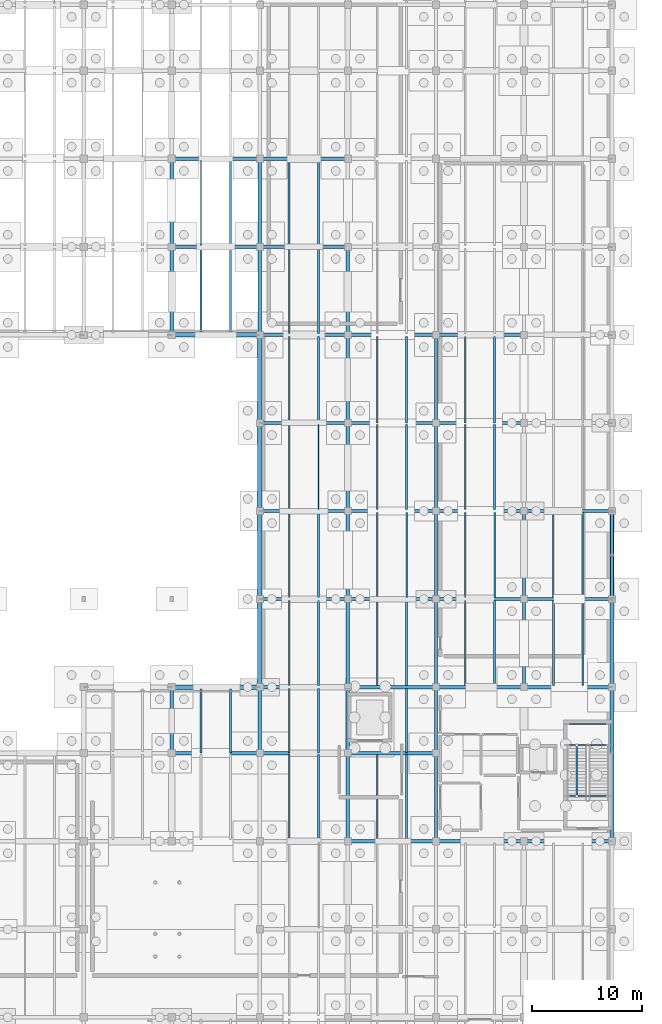
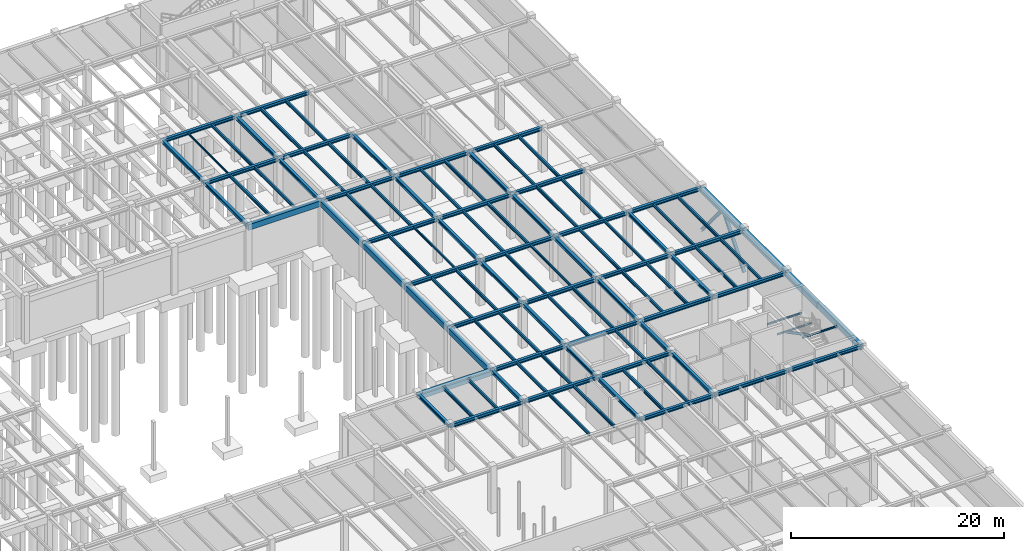
# One storey, part 29 of 71: 107 beams, 3 members.
"""IFC4 building model written with IfcOpenShell, lengths in metres."""

from ifc_helpers import new_model, si_unit, direction, frame, origin, origin_2d, place, context, subcontext, project, spatial, rectangle, i_section, extrude, material, material_profile, profile_set, type_object, element, save


model = new_model("IFC4")

# Units and contexts
model_context = context("Model", 3, precision=1e-05, world=origin(), true_north=direction((0.0, 1.0)))
body_context = subcontext(model_context, "Body", "Model", "MODEL_VIEW")
ifc_project = project(units=[si_unit("LENGTHUNIT", "METRE"), si_unit("AREAUNIT", "SQUARE_METRE"), si_unit("VOLUMEUNIT", "CUBIC_METRE"), si_unit("PLANEANGLEUNIT", "RADIAN"), si_unit("MASSUNIT", "GRAM", prefix="KILO")], contexts=[model_context])

# Site, building, storey
site_placement = place(None, origin())
site = spatial("IfcSite", under=ifc_project, at=site_placement, CompositionType="ELEMENT")
building_placement = place(site_placement, origin())
building = spatial("IfcBuilding", under=site, at=building_placement, Name="Sundkrona Museum", CompositionType="ELEMENT")
storey_placement = place(building_placement, frame((0.0, 0.0, -5.39990234375)))
storey = spatial("IfcBuildingStorey", under=building, at=storey_placement, Name="B1", CompositionType="ELEMENT", Elevation=-5.39990234375)

# Beams
ifc_material_1 = material(Name="Steel S355J2", Category="steel")
ifc_material_profile_1 = material_profile(ifc_material_1, i_section(OverallWidth=0.300048828125, OverallDepth=0.39990234375, WebThickness=0.013427734375, FlangeThickness=0.02392578125, FilletRadius=0.027099609375, at=origin_2d()), Name="HEB 400")
ifc_profile_set_1 = profile_set([ifc_material_profile_1], Name="Steel S355J2")
beam_type_1 = type_object("IfcBeamType", Name="B-HEB400", PredefinedType="BEAM", material=ifc_profile_set_1)
for number, where, z_axis, x_axis, name in (
    (1, (144.0, 32.0, 4.919921875), (1.0, 0.0, 0.0), (0.0, 1.0, 0.0), "B1 Girder X-0046"),
    (2, (152.0, 32.0, 4.919921875), (1.0, 0.0, 0.0), (0.0, 1.0, 0.0), "B1 Girder X-0047"),
    (3, (160.0, 32.0, 4.919921875), (1.0, 0.0, 0.0), (0.0, 1.0, 0.0), "B1 Girder X-0048"),
    (4, (128.0, 40.0, 4.919921875), (1.0, 0.0, 0.0), (0.0, 1.0, 0.0), "B1 Girder X-0057"),
    (5, (136.0, 40.0, 4.919921875), (1.0, 0.0, 0.0), (0.0, 1.0, 0.0), "B1 Girder X-0058"),
    (6, (144.0, 40.0, 4.919921875), (1.0, 0.0, 0.0), (0.0, 1.0, 0.0), "B1 Girder X-0059"),
    (7, (136.0, 46.0, 4.849853515625), (1.0, 0.0, 0.0), (0.0, 1.0, 0.0), "B1 Girder X-0067"),
    (8, (144.0, 46.0, 4.849853515625), (1.0, 0.0, 0.0), (0.0, 1.0, 0.0), "B1 Girder X-0068"),
    (9, (152.0, 46.0, 4.849853515625), (1.0, 0.0, 0.0), (0.0, 1.0, 0.0), "B1 Girder X-0069"),
    (10, (160.0, 46.0, 4.849853515625), (1.0, 0.0, 0.0), (0.0, 1.0, 0.0), "B1 Girder X-0070"),
    (11, (136.0, 54.0, 4.849853515625), (1.0, 0.0, 0.0), (0.0, 1.0, 0.0), "B1 Girder X-0076"),
    (12, (144.0, 54.0, 4.849853515625), (1.0, 0.0, 0.0), (0.0, 1.0, 0.0), "B1 Girder X-0077"),
    (13, (152.0, 54.0, 4.849853515625), (1.0, 0.0, 0.0), (0.0, 1.0, 0.0), "B1 Girder X-0078"),
    (14, (160.0, 54.0, 4.849853515625), (1.0, 0.0, 0.0), (0.0, 1.0, 0.0), "B1 Girder X-0079"),
    (15, (136.0, 62.0, 4.849853515625), (1.0, 0.0, 0.0), (0.0, 1.0, 0.0), "B1 Girder X-0085"),
    (16, (144.0, 62.0, 4.849853515625), (1.0, 0.0, 0.0), (0.0, 1.0, 0.0), "B1 Girder X-0086"),
    (17, (152.0, 62.0, 4.849853515625), (1.0, 0.0, 0.0), (0.0, 1.0, 0.0), "B1 Girder X-0087"),
    (18, (160.0, 62.0, 4.849853515625), (1.0, 0.0, 0.0), (0.0, 1.0, 0.0), "B1 Girder X-0088"),
    (19, (136.0, 70.0, 4.849853515625), (1.0, 0.0, 0.0), (0.0, 1.0, 0.0), "B1 Girder X-0093"),
    (20, (144.0, 70.0, 4.849853515625), (1.0, 0.0, 0.0), (0.0, 1.0, 0.0), "B1 Girder X-0094"),
    (21, (152.0, 70.0, 4.849853515625), (1.0, 0.0, 0.0), (0.0, 1.0, 0.0), "B1 Girder X-0095"),
    (22, (136.0, 78.0, 4.824951171875), (1.0, 0.0, 0.0), (0.0, 1.0, 0.0), "B1 Girder X-0113"),
    (23, (144.0, 78.0, 4.824951171875), (1.0, 0.0, 0.0), (0.0, 1.0, 0.0), "B1 Girder X-0114"),
    (24, (152.0, 78.0, 4.824951171875), (1.0, 0.0, 0.0), (0.0, 1.0, 0.0), "B1 Girder X-0115"),
    (25, (128.0, 86.0, 4.824951171875), (1.0, 0.0, 0.0), (0.0, 1.0, 0.0), "B1 Girder X-0130"),
    (26, (136.0, 86.0, 4.824951171875), (1.0, 0.0, 0.0), (0.0, 1.0, 0.0), "B1 Girder X-0131"),
    (27, (128.0, 94.0, 4.824951171875), (1.0, 0.0, 0.0), (0.0, 1.0, 0.0), "B1 Girder X-0150"),
    (28, (136.0, 94.0, 4.824951171875), (1.0, 0.0, 0.0), (0.0, 1.0, 0.0), "B1 Girder X-0151"),
):
    element("IfcBeam", number, at=place(storey_placement, frame(where, z_axis=z_axis, x_axis=x_axis)), inside=storey, type_object=beam_type_1, Name=name, PredefinedType="BEAM", context=body_context, shape_type="SweptSolid", body=[
        extrude(i_section(OverallWidth=0.300048828125, OverallDepth=0.39990234375, WebThickness=0.013427734375, FlangeThickness=0.02392578125, FilletRadius=0.027099609375, at=origin_2d()), origin(), (0.0, 0.0, 1.0), 8.0),
    ])
beam_1_placement = place(storey_placement, frame((128.0, 40.0, 4.919921875), z_axis=(0.0, 1.0, 0.0), x_axis=(-1.0, 0.0, 0.0)))
element("IfcBeam", 29, at=beam_1_placement, inside=storey, type_object=beam_type_1, Name="B1 Girder Y-0345", PredefinedType="BEAM", context=body_context, shape_type="SweptSolid", body=[
    extrude(i_section(OverallWidth=0.300048828125, OverallDepth=0.39990234375, WebThickness=0.013427734375, FlangeThickness=0.02392578125, FilletRadius=0.027099609375, at=origin_2d()), origin(), (0.0, 0.0, 1.0), 6.0),
])
for number, where, z_axis, x_axis, name in (
    (30, (128.0, 78.0, 4.919921875), (0.0, 1.0, 0.0), (-1.0, 0.0, 0.0), "B1 Girder Y-0346"),
    (31, (128.0, 86.0, 4.919921875), (0.0, 1.0, 0.0), (-1.0, 0.0, 0.0), "B1 Girder Y-0347"),
):
    element("IfcBeam", number, at=place(storey_placement, frame(where, z_axis=z_axis, x_axis=x_axis)), inside=storey, type_object=beam_type_1, Name=name, PredefinedType="BEAM", context=body_context, shape_type="SweptSolid", body=[
        extrude(i_section(OverallWidth=0.300048828125, OverallDepth=0.39990234375, WebThickness=0.013427734375, FlangeThickness=0.02392578125, FilletRadius=0.027099609375, at=origin_2d()), origin(), (0.0, 0.0, 1.0), 8.0),
    ])
beam_2_placement = place(storey_placement, frame((136.0, 40.0, 4.849853515625), z_axis=(0.0, 1.0, 0.0), x_axis=(-1.0, 0.0, 0.0)))
element("IfcBeam", 32, at=beam_2_placement, inside=storey, type_object=beam_type_1, Name="B1 Girder Y-0356", PredefinedType="BEAM", context=body_context, shape_type="SweptSolid", body=[
    extrude(i_section(OverallWidth=0.300048828125, OverallDepth=0.39990234375, WebThickness=0.013427734375, FlangeThickness=0.02392578125, FilletRadius=0.027099609375, at=origin_2d()), origin(), (0.0, 0.0, 1.0), 6.0),
])
for number, where, z_axis, x_axis, name in (
    (33, (136.0, 78.0, 4.824951171875), (0.0, 1.0, 0.0), (-1.0, 0.0, 0.0), "B1 Girder Y-0361"),
    (34, (136.0, 86.0, 4.824951171875), (0.0, 1.0, 0.0), (-1.0, 0.0, 0.0), "B1 Girder Y-0362"),
    (35, (144.0, 32.0, 4.919921875), (0.0, 1.0, 0.0), (-1.0, 0.0, 0.0), "B1 Girder Y-0370"),
):
    element("IfcBeam", number, at=place(storey_placement, frame(where, z_axis=z_axis, x_axis=x_axis)), inside=storey, type_object=beam_type_1, Name=name, PredefinedType="BEAM", context=body_context, shape_type="SweptSolid", body=[
        extrude(i_section(OverallWidth=0.300048828125, OverallDepth=0.39990234375, WebThickness=0.013427734375, FlangeThickness=0.02392578125, FilletRadius=0.027099609375, at=origin_2d()), origin(), (0.0, 0.0, 1.0), 8.0),
    ])
beam_3_placement = place(storey_placement, frame((144.0, 40.0, 4.849853515625), z_axis=(0.0, 1.0, 0.0), x_axis=(-1.0, 0.0, 0.0)))
element("IfcBeam", 36, at=beam_3_placement, inside=storey, type_object=beam_type_1, Name="B1 Girder Y-0371", PredefinedType="BEAM", context=body_context, shape_type="SweptSolid", body=[
    extrude(i_section(OverallWidth=0.300048828125, OverallDepth=0.39990234375, WebThickness=0.013427734375, FlangeThickness=0.02392578125, FilletRadius=0.027099609375, at=origin_2d()), origin(), (0.0, 0.0, 1.0), 6.0),
])
for number, where, z_axis, x_axis, name in (
    (37, (144.0, 46.0, 4.849853515625), (0.0, 1.0, 0.0), (-1.0, 0.0, 0.0), "B1 Girder Y-0372"),
    (38, (144.0, 54.0, 4.849853515625), (0.0, 1.0, 0.0), (-1.0, 0.0, 0.0), "B1 Girder Y-0373"),
    (39, (144.0, 62.0, 4.849853515625), (0.0, 1.0, 0.0), (-1.0, 0.0, 0.0), "B1 Girder Y-0374"),
    (40, (144.0, 70.0, 4.824951171875), (0.0, 1.0, 0.0), (-1.0, 0.0, 0.0), "B1 Girder Y-0375"),
    (41, (144.0, 78.0, 4.824951171875), (0.0, 1.0, 0.0), (-1.0, 0.0, 0.0), "B1 Girder Y-0376"),
    (42, (152.0, 32.0, 4.919921875), (0.0, 1.0, 0.0), (-1.0, 0.0, 0.0), "B1 Girder Y-0384"),
):
    element("IfcBeam", number, at=place(storey_placement, frame(where, z_axis=z_axis, x_axis=x_axis)), inside=storey, type_object=beam_type_1, Name=name, PredefinedType="BEAM", context=body_context, shape_type="SweptSolid", body=[
        extrude(i_section(OverallWidth=0.300048828125, OverallDepth=0.39990234375, WebThickness=0.013427734375, FlangeThickness=0.02392578125, FilletRadius=0.027099609375, at=origin_2d()), origin(), (0.0, 0.0, 1.0), 8.0),
    ])
beam_4_placement = place(storey_placement, frame((152.0, 40.0, 4.849853515625), z_axis=(0.0, 1.0, 0.0), x_axis=(-1.0, 0.0, 0.0)))
element("IfcBeam", 43, at=beam_4_placement, inside=storey, type_object=beam_type_1, Name="B1 Girder Y-0385", PredefinedType="BEAM", context=body_context, shape_type="SweptSolid", body=[
    extrude(i_section(OverallWidth=0.300048828125, OverallDepth=0.39990234375, WebThickness=0.013427734375, FlangeThickness=0.02392578125, FilletRadius=0.027099609375, at=origin_2d()), origin(), (0.0, 0.0, 1.0), 6.0),
])
for number, where, z_axis, x_axis, name in (
    (44, (152.0, 46.0, 4.849853515625), (0.0, 1.0, 0.0), (-1.0, 0.0, 0.0), "B1 Girder Y-0386"),
    (45, (152.0, 54.0, 4.849853515625), (0.0, 1.0, 0.0), (-1.0, 0.0, 0.0), "B1 Girder Y-0387"),
    (46, (152.0, 62.0, 4.849853515625), (0.0, 1.0, 0.0), (-1.0, 0.0, 0.0), "B1 Girder Y-0388"),
    (47, (152.0, 70.0, 4.824951171875), (0.0, 1.0, 0.0), (-1.0, 0.0, 0.0), "B1 Girder Y-0389"),
    (48, (160.0, 46.0, 4.849853515625), (0.0, 1.0, 0.0), (-1.0, 0.0, 0.0), "B1 Girder Y-0399"),
    (49, (160.0, 54.0, 4.849853515625), (0.0, 1.0, 0.0), (-1.0, 0.0, 0.0), "B1 Girder Y-0400"),
):
    element("IfcBeam", number, at=place(storey_placement, frame(where, z_axis=z_axis, x_axis=x_axis)), inside=storey, type_object=beam_type_1, Name=name, PredefinedType="BEAM", context=body_context, shape_type="SweptSolid", body=[
        extrude(i_section(OverallWidth=0.300048828125, OverallDepth=0.39990234375, WebThickness=0.013427734375, FlangeThickness=0.02392578125, FilletRadius=0.027099609375, at=origin_2d()), origin(), (0.0, 0.0, 1.0), 8.0),
    ])
ifc_material_2 = material(Name="Concrete C40/50", Category="concrete")
ifc_material_profile_2 = material_profile(ifc_material_2, rectangle(XDim=0.39990234375, YDim=0.64990234375, at=origin_2d()), Name="RCB 400x650")
ifc_profile_set_2 = profile_set([ifc_material_profile_2], Name="Concrete C40/50")
beam_type_2 = type_object("IfcBeamType", Name="B-RC400", PredefinedType="BEAM", material=ifc_profile_set_2)
for number, where, z_axis, x_axis, name in (
    (50, (128.0, 46.0, 4.724853515625), (1.0, 0.0, 0.0), (0.0, 1.0, 0.0), "B1 Girder X-0066"),
    (51, (128.0, 78.0, 4.699951171875), (1.0, 0.0, 0.0), (0.0, 1.0, 0.0), "B1 Girder X-0112"),
    (52, (136.0, 46.0, 4.724853515625), (0.0, 1.0, 0.0), (-1.0, 0.0, 0.0), "B1 Girder Y-0357"),
    (53, (136.0, 54.0, 4.724853515625), (0.0, 1.0, 0.0), (-1.0, 0.0, 0.0), "B1 Girder Y-0358"),
    (54, (136.0, 62.0, 4.724853515625), (0.0, 1.0, 0.0), (-1.0, 0.0, 0.0), "B1 Girder Y-0359"),
    (55, (136.0, 70.0, 4.699951171875), (0.0, 1.0, 0.0), (-1.0, 0.0, 0.0), "B1 Girder Y-0360"),
    (56, (168.0, 32.0, 4.794921875), (0.0, 1.0, 0.0), (-1.0, 0.0, 0.0), "B1 Girder Y-0412"),
):
    element("IfcBeam", number, at=place(storey_placement, frame(where, z_axis=z_axis, x_axis=x_axis)), inside=storey, type_object=beam_type_2, Name=name, PredefinedType="BEAM", context=body_context, shape_type="SweptSolid", body=[
        extrude(rectangle(XDim=0.39990234375, YDim=0.64990234375, at=origin_2d()), origin(), (0.0, 0.0, 1.0), 8.0),
    ])
beam_5_placement = place(storey_placement, frame((168.0, 40.0, 4.724853515625), z_axis=(0.0, 1.0, 0.0), x_axis=(-1.0, 0.0, 0.0)))
element("IfcBeam", 57, at=beam_5_placement, inside=storey, type_object=beam_type_2, Name="B1 Girder Y-0413", PredefinedType="BEAM", context=body_context, shape_type="SweptSolid", body=[
    extrude(rectangle(XDim=0.39990234375, YDim=0.64990234375, at=origin_2d()), origin(), (0.0, 0.0, 1.0), 6.0),
])
for number, where, z_axis, x_axis, name in (
    (58, (168.0, 46.0, 4.724853515625), (0.0, 1.0, 0.0), (-1.0, 0.0, 0.0), "B1 Girder Y-0414"),
    (59, (168.0, 54.0, 4.724853515625), (0.0, 1.0, 0.0), (-1.0, 0.0, 0.0), "B1 Girder Y-0415"),
):
    element("IfcBeam", number, at=place(storey_placement, frame(where, z_axis=z_axis, x_axis=x_axis)), inside=storey, type_object=beam_type_2, Name=name, PredefinedType="BEAM", context=body_context, shape_type="SweptSolid", body=[
        extrude(rectangle(XDim=0.39990234375, YDim=0.64990234375, at=origin_2d()), origin(), (0.0, 0.0, 1.0), 8.0),
    ])

# Members
ifc_material_profile_3 = material_profile(ifc_material_1, i_section(OverallWidth=0.300048828125, OverallDepth=0.2900390625, WebThickness=0.008544921875, FlangeThickness=0.013916015625, FilletRadius=0.027099609375, at=origin_2d()), Name="HEA 300")
ifc_profile_set_3 = profile_set([ifc_material_profile_3], Name="Steel S355J2")
member_type_1 = type_object("IfcMemberType", Name="BR-HEA300", PredefinedType="BRACE", material=ifc_profile_set_3)
for number, where, z_axis, x_axis, name in (
    (60, (168.0, 54.0, 0.0), (0.0, 0.637841755106, 0.770167446367), (-1.0, 0.0, 0.0), "CBR-1 B1 Concentric Chevron Brace 025A"),
    (61, (168.0, 62.0, 0.0), (0.0, -0.637841755106, 0.770167446367), (1.0, 0.0, 0.0), "CBR-1 B1 Concentric Chevron Brace 025B"),
):
    element("IfcMember", number, at=place(storey_placement, frame(where, z_axis=z_axis, x_axis=x_axis)), inside=storey, type_object=member_type_1, Name=name, PredefinedType="BRACE", context=body_context, shape_type="SweptSolid", body=[
        extrude(i_section(OverallWidth=0.300048828125, OverallDepth=0.2900390625, WebThickness=0.008544921875, FlangeThickness=0.013916015625, FilletRadius=0.027099609375, at=origin_2d()), origin(), (0.0, 0.0, 1.0), 6.271240234375),
    ])
ifc_material_profile_4 = material_profile(ifc_material_1, i_section(OverallWidth=0.135009765625, OverallDepth=0.27001953125, WebThickness=0.006591796875, FlangeThickness=0.01025390625, FilletRadius=0.014892578125, at=origin_2d()), Name="IPE 270")
ifc_profile_set_4 = profile_set([ifc_material_profile_4], Name="Steel S355J2")
member_type_2 = type_object("IfcMemberType", Name="BR-IPE270", PredefinedType="BRACE", material=ifc_profile_set_4)
member_placement = place(storey_placement, frame((164.800048828125, 40.715087890625, 2.3798828125), z_axis=(0.0, -0.884492571905, 0.466554273632), x_axis=(1.0, 0.0, 0.0)))
element("IfcMember", 62, at=member_placement, inside=storey, type_object=member_type_2, Name="SRK-1 B1 ST-1 Flight 2 Inclined Carriage Raker", PredefinedType="BRACE", context=body_context, shape_type="SweptSolid", body=[
    extrude(i_section(OverallWidth=0.135009765625, OverallDepth=0.27001953125, WebThickness=0.006591796875, FlangeThickness=0.01025390625, FilletRadius=0.014892578125, at=origin_2d()), origin(), (0.0, 0.0, 1.0), 5.2177734375),
])

# Beams
ifc_material_profile_5 = material_profile(ifc_material_1, i_section(OverallWidth=0.10009765625, OverallDepth=0.199951171875, WebThickness=0.005615234375, FlangeThickness=0.008544921875, FilletRadius=0.011962890625, at=origin_2d()), Name="IPE 200")
ifc_profile_set_5 = profile_set([ifc_material_profile_5], Name="Steel S355J2")
beam_type_3 = type_object("IfcBeamType", Name="J-IPE200", PredefinedType="JOIST", material=ifc_profile_set_5)
beam_6_placement = place(storey_placement, frame((130.666748046875, 86.14404296875, 4.9248046875), z_axis=(0.0, 1.0, 0.0), x_axis=(-1.0, 0.0, 0.0)))
element("IfcBeam", 63, at=beam_6_placement, inside=storey, type_object=beam_type_3, Name="B1 Composite Joist 0200", PredefinedType="JOIST", context=body_context, shape_type="SweptSolid", body=[
    extrude(i_section(OverallWidth=0.10009765625, OverallDepth=0.199951171875, WebThickness=0.005615234375, FlangeThickness=0.008544921875, FilletRadius=0.011962890625, at=origin_2d()), origin(), (0.0, 0.0, 1.0), 7.7119140625),
])
for number, where, z_axis, x_axis, name in (
    (64, (163.909912109375, 40.754638671875, 2.3798828125), (1.0, 0.0, 0.0), (0.0, 1.0, 0.0), "B1 ST-1 Mid-Landing Trimmer Beam 1A"),
    (65, (163.909912109375, 42.660400390625, 2.3798828125), (1.0, 0.0, 0.0), (0.0, 1.0, 0.0), "B1 ST-1 Mid-Landing Trimmer Beam 1B"),
    (66, (163.909912109375, 36.10009765625, 4.814208984375), (1.0, 0.0, 0.0), (0.0, 1.0, 0.0), "B1 ST-1 Flight 2 Arrival Header Beam"),
):
    element("IfcBeam", number, at=place(storey_placement, frame(where, z_axis=z_axis, x_axis=x_axis)), inside=storey, type_object=beam_type_3, Name=name, PredefinedType="JOIST", context=body_context, shape_type="SweptSolid", body=[
        extrude(i_section(OverallWidth=0.10009765625, OverallDepth=0.199951171875, WebThickness=0.005615234375, FlangeThickness=0.008544921875, FilletRadius=0.011962890625, at=origin_2d()), origin(), (0.0, 0.0, 1.0), 3.780029296875),
    ])
ifc_material_profile_6 = material_profile(ifc_material_1, i_section(OverallWidth=0.1201171875, OverallDepth=0.239990234375, WebThickness=0.006103515625, FlangeThickness=0.009765625, FilletRadius=0.014892578125, at=origin_2d()), Name="IPE 240")
ifc_profile_set_6 = profile_set([ifc_material_profile_6], Name="Steel S355J2")
beam_type_4 = type_object("IfcBeamType", Name="J-IPE240", PredefinedType="JOIST", material=ifc_profile_set_6)
beam_7_placement = place(storey_placement, frame((141.333251953125, 62.14404296875, 4.929931640625), z_axis=(0.0, 1.0, 0.0), x_axis=(-1.0, 0.0, 0.0)))
element("IfcBeam", 67, at=beam_7_placement, inside=storey, type_object=beam_type_4, Name="B1 Composite Joist 0225", PredefinedType="JOIST", context=body_context, shape_type="SweptSolid", body=[
    extrude(i_section(OverallWidth=0.1201171875, OverallDepth=0.239990234375, WebThickness=0.006103515625, FlangeThickness=0.009765625, FilletRadius=0.014892578125, at=origin_2d()), origin(), (0.0, 0.0, 1.0), 7.7119140625),
])
ifc_material_profile_7 = material_profile(ifc_material_1, i_section(OverallWidth=0.135009765625, OverallDepth=0.27001953125, WebThickness=0.006591796875, FlangeThickness=0.01025390625, FilletRadius=0.014892578125, at=origin_2d()), Name="IPE 270")
ifc_profile_set_7 = profile_set([ifc_material_profile_7], Name="Steel S355J2")
beam_type_5 = type_object("IfcBeamType", Name="J-IPE270", PredefinedType="JOIST", material=ifc_profile_set_7)
beam_8_placement = place(storey_placement, frame((149.333251953125, 54.14404296875, 4.914794921875), z_axis=(0.0, 1.0, 0.0), x_axis=(-1.0, 0.0, 0.0)))
element("IfcBeam", 68, at=beam_8_placement, inside=storey, type_object=beam_type_5, Name="B1 Composite Joist 0250", PredefinedType="JOIST", context=body_context, shape_type="SweptSolid", body=[
    extrude(i_section(OverallWidth=0.135009765625, OverallDepth=0.27001953125, WebThickness=0.006591796875, FlangeThickness=0.01025390625, FilletRadius=0.014892578125, at=origin_2d()), origin(), (0.0, 0.0, 1.0), 7.7119140625),
])
ifc_material_profile_8 = material_profile(ifc_material_1, i_section(OverallWidth=0.14990234375, OverallDepth=0.300048828125, WebThickness=0.007080078125, FlangeThickness=0.0107421875, FilletRadius=0.014892578125, at=origin_2d()), Name="IPE 300")
ifc_profile_set_8 = profile_set([ifc_material_profile_8], Name="Steel S355J2")
beam_type_6 = type_object("IfcBeamType", Name="J-IPE300", PredefinedType="JOIST", material=ifc_profile_set_8)
beam_9_placement = place(storey_placement, frame((157.333251953125, 54.14404296875, 4.89990234375), z_axis=(0.0, 1.0, 0.0), x_axis=(-1.0, 0.0, 0.0)))
element("IfcBeam", 69, at=beam_9_placement, inside=storey, type_object=beam_type_6, Name="B1 Composite Joist 0275", PredefinedType="JOIST", context=body_context, shape_type="SweptSolid", body=[
    extrude(i_section(OverallWidth=0.14990234375, OverallDepth=0.300048828125, WebThickness=0.007080078125, FlangeThickness=0.0107421875, FilletRadius=0.014892578125, at=origin_2d()), origin(), (0.0, 0.0, 1.0), 7.7119140625),
])
ifc_material_profile_9 = material_profile(ifc_material_1, i_section(OverallWidth=0.159912109375, OverallDepth=0.330078125, WebThickness=0.007568359375, FlangeThickness=0.011474609375, FilletRadius=0.01806640625, at=origin_2d()), Name="IPE 330")
ifc_profile_set_9 = profile_set([ifc_material_profile_9], Name="Steel S355J2")
beam_type_7 = type_object("IfcBeamType", Name="J-IPE330", PredefinedType="JOIST", material=ifc_profile_set_9)
for number, where, z_axis, x_axis, name in (
    (70, (138.666748046875, 46.14404296875, 4.885009765625), (0.0, 1.0, 0.0), (-1.0, 0.0, 0.0), "B1 Composite Joist 0220"),
    (71, (162.666748046875, 54.14404296875, 4.885009765625), (0.0, 1.0, 0.0), (-1.0, 0.0, 0.0), "B1 Composite Joist 0300"),
):
    element("IfcBeam", number, at=place(storey_placement, frame(where, z_axis=z_axis, x_axis=x_axis)), inside=storey, type_object=beam_type_7, Name=name, PredefinedType="JOIST", context=body_context, shape_type="SweptSolid", body=[
        extrude(i_section(OverallWidth=0.159912109375, OverallDepth=0.330078125, WebThickness=0.007568359375, FlangeThickness=0.011474609375, FilletRadius=0.01806640625, at=origin_2d()), origin(), (0.0, 0.0, 1.0), 7.7119140625),
    ])
ifc_material_profile_10 = material_profile(ifc_material_1, i_section(OverallWidth=0.169921875, OverallDepth=0.360107421875, WebThickness=0.008056640625, FlangeThickness=0.0126953125, FilletRadius=0.01806640625, at=origin_2d()), Name="IPE 360")
ifc_profile_set_10 = profile_set([ifc_material_profile_10], Name="Steel S355J2")
beam_type_8 = type_object("IfcBeamType", Name="J-IPE360", PredefinedType="JOIST", material=ifc_profile_set_10)
for number, where, z_axis, x_axis, name in (
    (72, (130.666748046875, 40.014892578125, 4.869873046875), (0.0, 1.0, 0.0), (-1.0, 0.0, 0.0), "B1 Composite Joist 0196"),
    (73, (133.333251953125, 40.014892578125, 4.869873046875), (0.0, 1.0, 0.0), (-1.0, 0.0, 0.0), "B1 Composite Joist 0197"),
):
    element("IfcBeam", number, at=place(storey_placement, frame(where, z_axis=z_axis, x_axis=x_axis)), inside=storey, type_object=beam_type_8, Name=name, PredefinedType="JOIST", context=body_context, shape_type="SweptSolid", body=[
        extrude(i_section(OverallWidth=0.169921875, OverallDepth=0.360107421875, WebThickness=0.008056640625, FlangeThickness=0.0126953125, FilletRadius=0.01806640625, at=origin_2d()), origin(), (0.0, 0.0, 1.0), 5.791015625),
    ])
for number, where, z_axis, x_axis, name in (
    (74, (130.666748046875, 78.194091796875, 4.844970703125), (0.0, 1.0, 0.0), (-1.0, 0.0, 0.0), "B1 Composite Joist 0198"),
    (75, (133.333251953125, 78.194091796875, 4.844970703125), (0.0, 1.0, 0.0), (-1.0, 0.0, 0.0), "B1 Composite Joist 0199"),
):
    element("IfcBeam", number, at=place(storey_placement, frame(where, z_axis=z_axis, x_axis=x_axis)), inside=storey, type_object=beam_type_8, Name=name, PredefinedType="JOIST", context=body_context, shape_type="SweptSolid", body=[
        extrude(i_section(OverallWidth=0.169921875, OverallDepth=0.360107421875, WebThickness=0.008056640625, FlangeThickness=0.0126953125, FilletRadius=0.01806640625, at=origin_2d()), origin(), (0.0, 0.0, 1.0), 7.661865234375),
    ])
for number, where, z_axis, x_axis, name in (
    (76, (133.333251953125, 86.14404296875, 4.844970703125), (0.0, 1.0, 0.0), (-1.0, 0.0, 0.0), "B1 Composite Joist 0201"),
    (77, (138.666748046875, 32.14404296875, 4.93994140625), (0.0, 1.0, 0.0), (-1.0, 0.0, 0.0), "B1 Composite Joist 0216"),
    (78, (141.333251953125, 32.14404296875, 4.93994140625), (0.0, 1.0, 0.0), (-1.0, 0.0, 0.0), "B1 Composite Joist 0217"),
):
    element("IfcBeam", number, at=place(storey_placement, frame(where, z_axis=z_axis, x_axis=x_axis)), inside=storey, type_object=beam_type_8, Name=name, PredefinedType="JOIST", context=body_context, shape_type="SweptSolid", body=[
        extrude(i_section(OverallWidth=0.169921875, OverallDepth=0.360107421875, WebThickness=0.008056640625, FlangeThickness=0.0126953125, FilletRadius=0.01806640625, at=origin_2d()), origin(), (0.0, 0.0, 1.0), 7.7119140625),
    ])
for number, where, z_axis, x_axis, name in (
    (79, (138.666748046875, 40.014892578125, 4.869873046875), (0.0, 1.0, 0.0), (-1.0, 0.0, 0.0), "B1 Composite Joist 0218"),
    (80, (141.333251953125, 40.014892578125, 4.869873046875), (0.0, 1.0, 0.0), (-1.0, 0.0, 0.0), "B1 Composite Joist 0219"),
):
    element("IfcBeam", number, at=place(storey_placement, frame(where, z_axis=z_axis, x_axis=x_axis)), inside=storey, type_object=beam_type_8, Name=name, PredefinedType="JOIST", context=body_context, shape_type="SweptSolid", body=[
        extrude(i_section(OverallWidth=0.169921875, OverallDepth=0.360107421875, WebThickness=0.008056640625, FlangeThickness=0.0126953125, FilletRadius=0.01806640625, at=origin_2d()), origin(), (0.0, 0.0, 1.0), 5.841064453125),
    ])
for number, where, z_axis, x_axis, name in (
    (81, (141.333251953125, 46.14404296875, 4.869873046875), (0.0, 1.0, 0.0), (-1.0, 0.0, 0.0), "B1 Composite Joist 0221"),
    (82, (138.666748046875, 54.14404296875, 4.869873046875), (0.0, 1.0, 0.0), (-1.0, 0.0, 0.0), "B1 Composite Joist 0222"),
    (83, (141.333251953125, 54.14404296875, 4.869873046875), (0.0, 1.0, 0.0), (-1.0, 0.0, 0.0), "B1 Composite Joist 0223"),
    (84, (138.666748046875, 62.14404296875, 4.869873046875), (0.0, 1.0, 0.0), (-1.0, 0.0, 0.0), "B1 Composite Joist 0224"),
):
    element("IfcBeam", number, at=place(storey_placement, frame(where, z_axis=z_axis, x_axis=x_axis)), inside=storey, type_object=beam_type_8, Name=name, PredefinedType="JOIST", context=body_context, shape_type="SweptSolid", body=[
        extrude(i_section(OverallWidth=0.169921875, OverallDepth=0.360107421875, WebThickness=0.008056640625, FlangeThickness=0.0126953125, FilletRadius=0.01806640625, at=origin_2d()), origin(), (0.0, 0.0, 1.0), 7.7119140625),
    ])
for number, where, z_axis, x_axis, name in (
    (85, (138.666748046875, 70.014892578125, 4.844970703125), (0.0, 1.0, 0.0), (-1.0, 0.0, 0.0), "B1 Composite Joist 0226"),
    (86, (141.333251953125, 70.014892578125, 4.844970703125), (0.0, 1.0, 0.0), (-1.0, 0.0, 0.0), "B1 Composite Joist 0227"),
):
    element("IfcBeam", number, at=place(storey_placement, frame(where, z_axis=z_axis, x_axis=x_axis)), inside=storey, type_object=beam_type_8, Name=name, PredefinedType="JOIST", context=body_context, shape_type="SweptSolid", body=[
        extrude(i_section(OverallWidth=0.169921875, OverallDepth=0.360107421875, WebThickness=0.008056640625, FlangeThickness=0.0126953125, FilletRadius=0.01806640625, at=origin_2d()), origin(), (0.0, 0.0, 1.0), 7.841064453125),
    ])
for number, where, z_axis, x_axis, name in (
    (87, (138.666748046875, 78.14404296875, 4.844970703125), (0.0, 1.0, 0.0), (-1.0, 0.0, 0.0), "B1 Composite Joist 0228"),
    (88, (141.333251953125, 78.14404296875, 4.844970703125), (0.0, 1.0, 0.0), (-1.0, 0.0, 0.0), "B1 Composite Joist 0229"),
    (89, (141.333251953125, 86.14404296875, 4.844970703125), (0.0, 1.0, 0.0), (-1.0, 0.0, 0.0), "B1 Composite Joist 0231"),
    (90, (146.666748046875, 32.14404296875, 4.93994140625), (0.0, 1.0, 0.0), (-1.0, 0.0, 0.0), "B1 Composite Joist 0244"),
    (91, (149.333251953125, 32.14404296875, 4.93994140625), (0.0, 1.0, 0.0), (-1.0, 0.0, 0.0), "B1 Composite Joist 0245"),
):
    element("IfcBeam", number, at=place(storey_placement, frame(where, z_axis=z_axis, x_axis=x_axis)), inside=storey, type_object=beam_type_8, Name=name, PredefinedType="JOIST", context=body_context, shape_type="SweptSolid", body=[
        extrude(i_section(OverallWidth=0.169921875, OverallDepth=0.360107421875, WebThickness=0.008056640625, FlangeThickness=0.0126953125, FilletRadius=0.01806640625, at=origin_2d()), origin(), (0.0, 0.0, 1.0), 7.7119140625),
    ])
beam_10_placement = place(storey_placement, frame((149.333251953125, 40.014892578125, 4.869873046875), z_axis=(0.0, 1.0, 0.0), x_axis=(-1.0, 0.0, 0.0)))
element("IfcBeam", 92, at=beam_10_placement, inside=storey, type_object=beam_type_8, Name="B1 Composite Joist 0246", PredefinedType="JOIST", context=body_context, shape_type="SweptSolid", body=[
    extrude(i_section(OverallWidth=0.169921875, OverallDepth=0.360107421875, WebThickness=0.008056640625, FlangeThickness=0.0126953125, FilletRadius=0.01806640625, at=origin_2d()), origin(), (0.0, 0.0, 1.0), 5.841064453125),
])
for number, where, z_axis, x_axis, name in (
    (93, (146.666748046875, 46.14404296875, 4.869873046875), (0.0, 1.0, 0.0), (-1.0, 0.0, 0.0), "B1 Composite Joist 0247"),
    (94, (149.333251953125, 46.14404296875, 4.869873046875), (0.0, 1.0, 0.0), (-1.0, 0.0, 0.0), "B1 Composite Joist 0248"),
    (95, (146.666748046875, 54.14404296875, 4.869873046875), (0.0, 1.0, 0.0), (-1.0, 0.0, 0.0), "B1 Composite Joist 0249"),
    (96, (146.666748046875, 62.14404296875, 4.869873046875), (0.0, 1.0, 0.0), (-1.0, 0.0, 0.0), "B1 Composite Joist 0251"),
    (97, (149.333251953125, 62.14404296875, 4.869873046875), (0.0, 1.0, 0.0), (-1.0, 0.0, 0.0), "B1 Composite Joist 0252"),
):
    element("IfcBeam", number, at=place(storey_placement, frame(where, z_axis=z_axis, x_axis=x_axis)), inside=storey, type_object=beam_type_8, Name=name, PredefinedType="JOIST", context=body_context, shape_type="SweptSolid", body=[
        extrude(i_section(OverallWidth=0.169921875, OverallDepth=0.360107421875, WebThickness=0.008056640625, FlangeThickness=0.0126953125, FilletRadius=0.01806640625, at=origin_2d()), origin(), (0.0, 0.0, 1.0), 7.7119140625),
    ])
for number, where, z_axis, x_axis, name in (
    (98, (146.666748046875, 70.014892578125, 4.844970703125), (0.0, 1.0, 0.0), (-1.0, 0.0, 0.0), "B1 Composite Joist 0253"),
    (99, (149.333251953125, 70.014892578125, 4.844970703125), (0.0, 1.0, 0.0), (-1.0, 0.0, 0.0), "B1 Composite Joist 0254"),
):
    element("IfcBeam", number, at=place(storey_placement, frame(where, z_axis=z_axis, x_axis=x_axis)), inside=storey, type_object=beam_type_8, Name=name, PredefinedType="JOIST", context=body_context, shape_type="SweptSolid", body=[
        extrude(i_section(OverallWidth=0.169921875, OverallDepth=0.360107421875, WebThickness=0.008056640625, FlangeThickness=0.0126953125, FilletRadius=0.01806640625, at=origin_2d()), origin(), (0.0, 0.0, 1.0), 7.841064453125),
    ])
for number, where, z_axis, x_axis, name in (
    (100, (154.666748046875, 46.14404296875, 4.869873046875), (0.0, 1.0, 0.0), (-1.0, 0.0, 0.0), "B1 Composite Joist 0272"),
    (101, (157.333251953125, 46.14404296875, 4.869873046875), (0.0, 1.0, 0.0), (-1.0, 0.0, 0.0), "B1 Composite Joist 0273"),
    (102, (154.666748046875, 54.14404296875, 4.869873046875), (0.0, 1.0, 0.0), (-1.0, 0.0, 0.0), "B1 Composite Joist 0274"),
    (103, (154.666748046875, 62.14404296875, 4.869873046875), (0.0, 1.0, 0.0), (-1.0, 0.0, 0.0), "B1 Composite Joist 0276"),
    (104, (157.333251953125, 62.14404296875, 4.869873046875), (0.0, 1.0, 0.0), (-1.0, 0.0, 0.0), "B1 Composite Joist 0277"),
):
    element("IfcBeam", number, at=place(storey_placement, frame(where, z_axis=z_axis, x_axis=x_axis)), inside=storey, type_object=beam_type_8, Name=name, PredefinedType="JOIST", context=body_context, shape_type="SweptSolid", body=[
        extrude(i_section(OverallWidth=0.169921875, OverallDepth=0.360107421875, WebThickness=0.008056640625, FlangeThickness=0.0126953125, FilletRadius=0.01806640625, at=origin_2d()), origin(), (0.0, 0.0, 1.0), 7.7119140625),
    ])
for number, where, z_axis, x_axis, name in (
    (105, (154.666748046875, 70.014892578125, 4.844970703125), (0.0, 1.0, 0.0), (-1.0, 0.0, 0.0), "B1 Composite Joist 0278"),
    (106, (157.333251953125, 70.014892578125, 4.844970703125), (0.0, 1.0, 0.0), (-1.0, 0.0, 0.0), "B1 Composite Joist 0279"),
):
    element("IfcBeam", number, at=place(storey_placement, frame(where, z_axis=z_axis, x_axis=x_axis)), inside=storey, type_object=beam_type_8, Name=name, PredefinedType="JOIST", context=body_context, shape_type="SweptSolid", body=[
        extrude(i_section(OverallWidth=0.169921875, OverallDepth=0.360107421875, WebThickness=0.008056640625, FlangeThickness=0.0126953125, FilletRadius=0.01806640625, at=origin_2d()), origin(), (0.0, 0.0, 1.0), 7.841064453125),
    ])
for number, where, z_axis, x_axis, name in (
    (107, (162.666748046875, 46.14404296875, 4.869873046875), (0.0, 1.0, 0.0), (-1.0, 0.0, 0.0), "B1 Composite Joist 0298"),
    (108, (165.333251953125, 46.14404296875, 4.869873046875), (0.0, 1.0, 0.0), (-1.0, 0.0, 0.0), "B1 Composite Joist 0299"),
    (109, (165.333251953125, 54.14404296875, 4.869873046875), (0.0, 1.0, 0.0), (-1.0, 0.0, 0.0), "B1 Composite Joist 0301"),
):
    element("IfcBeam", number, at=place(storey_placement, frame(where, z_axis=z_axis, x_axis=x_axis)), inside=storey, type_object=beam_type_8, Name=name, PredefinedType="JOIST", context=body_context, shape_type="SweptSolid", body=[
        extrude(i_section(OverallWidth=0.169921875, OverallDepth=0.360107421875, WebThickness=0.008056640625, FlangeThickness=0.0126953125, FilletRadius=0.01806640625, at=origin_2d()), origin(), (0.0, 0.0, 1.0), 7.7119140625),
    ])
ifc_material_profile_11 = material_profile(ifc_material_1, i_section(OverallWidth=0.179931640625, OverallDepth=0.39990234375, WebThickness=0.008544921875, FlangeThickness=0.013427734375, FilletRadius=0.02099609375, at=origin_2d()), Name="IPE 400")
ifc_profile_set_11 = profile_set([ifc_material_profile_11], Name="Steel S355J2")
beam_type_9 = type_object("IfcBeamType", Name="J-IPE400", PredefinedType="JOIST", material=ifc_profile_set_11)
beam_11_placement = place(storey_placement, frame((138.666748046875, 86.14404296875, 4.824951171875), z_axis=(0.0, 1.0, 0.0), x_axis=(-1.0, 0.0, 0.0)))
element("IfcBeam", 110, at=beam_11_placement, inside=storey, type_object=beam_type_9, Name="B1 Composite Joist 0230", PredefinedType="JOIST", context=body_context, shape_type="SweptSolid", body=[
    extrude(i_section(OverallWidth=0.179931640625, OverallDepth=0.39990234375, WebThickness=0.008544921875, FlangeThickness=0.013427734375, FilletRadius=0.02099609375, at=origin_2d()), origin(), (0.0, 0.0, 1.0), 7.7119140625),
])

save(model, "model.ifc")
